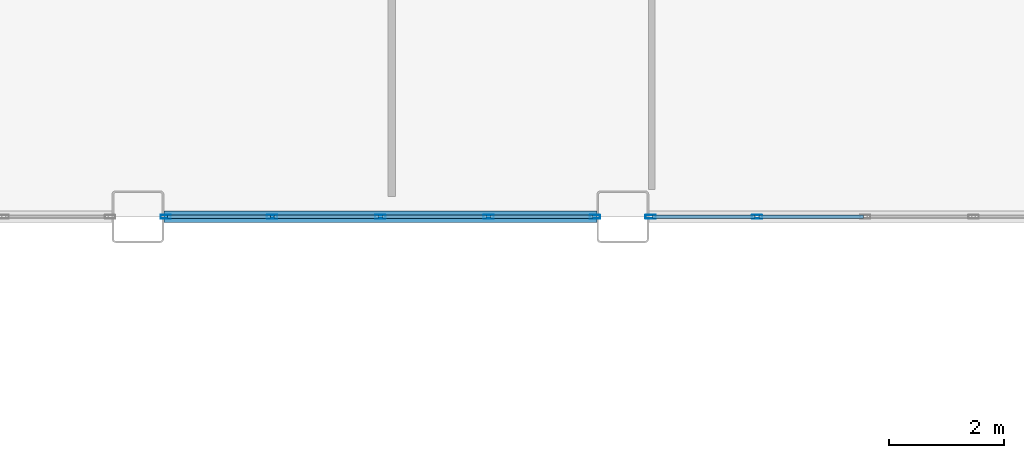
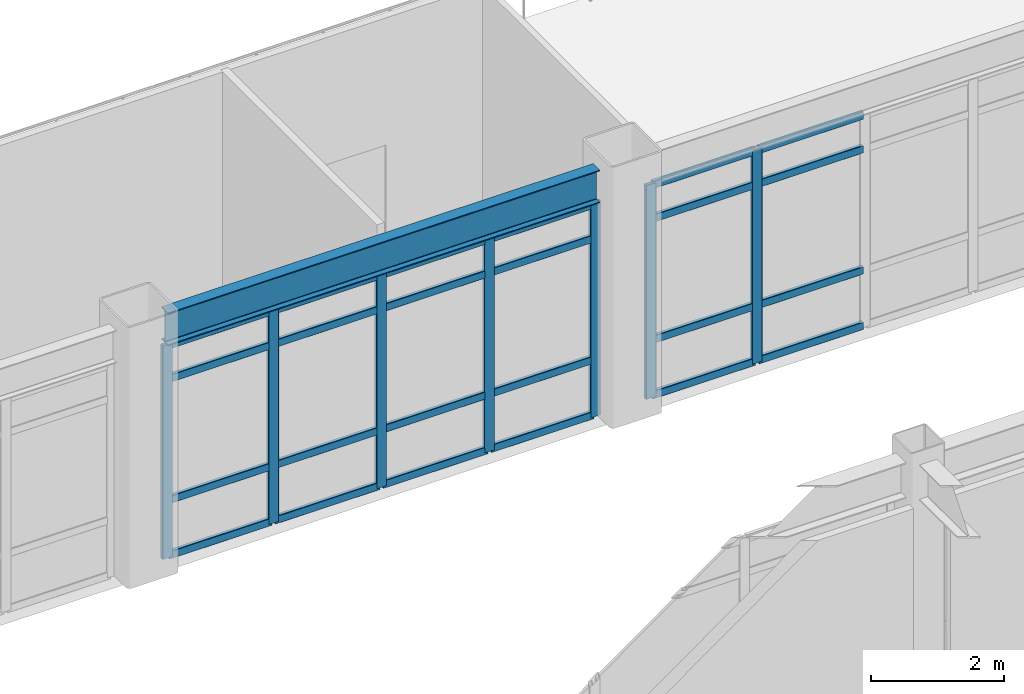
# One storey, part 36 of 172: 31 members, 1 beam, 2 elements without a shape of their own.
"""IFC4 building model written with IfcOpenShell, lengths in metres."""

from ifc_helpers import new_model, si_unit, direction, frame, origin, origin_2d, place, context, subcontext, project, spatial, hollow_rectangle, i_section, extrude, material, layer, layer_set, material_profile, profile_set, type_object, element, aggregate, save


model = new_model("IFC4")

# Units and contexts
model_context = context("Model", 3, precision=1e-05, world=origin(), true_north=direction((0.0, 1.0)))
body_context = subcontext(model_context, "Body", "Model", "MODEL_VIEW")
ifc_project = project(units=[si_unit("LENGTHUNIT", "METRE"), si_unit("AREAUNIT", "SQUARE_METRE"), si_unit("VOLUMEUNIT", "CUBIC_METRE"), si_unit("PLANEANGLEUNIT", "RADIAN"), si_unit("MASSUNIT", "GRAM", prefix="KILO")], contexts=[model_context])

# Site, building, storey
site_placement = place(None, origin())
site = spatial("IfcSite", under=ifc_project, at=site_placement, CompositionType="ELEMENT")
building_placement = place(site_placement, origin())
building = spatial("IfcBuilding", under=site, at=building_placement, Name="Kazehara Bluff Congress Hotel", CompositionType="ELEMENT")
storey_placement = place(building_placement, frame((0.0, 0.0, 5.39990234375)))
storey = spatial("IfcBuildingStorey", under=building, at=storey_placement, Name="L01", CompositionType="ELEMENT", Elevation=5.39990234375)

# Curtain wall, members
ifc_material_1 = material(Name="Anodised aluminium", Category="aluminium")
ifc_layer = layer(ifc_material_1, 0.159912109375)
ifc_layer_set = layer_set([ifc_layer], Name="Anodised aluminium")
curtain_wall_type = type_object("IfcCurtainWallType", Name="TP-CW-13", PredefinedType="NOTDEFINED", material=ifc_layer_set)
curtain_wall_1_placement = place(storey_placement, origin())
curtain_wall_1 = element("IfcCurtainWall", 1, at=curtain_wall_1_placement, inside=storey, type_object=curtain_wall_type, Name="L01 curtain wall CW-13 CW-V1-L01-Y4845-3405", PredefinedType="NOTDEFINED")
ifc_material_2 = material(Name="Anodised aluminium", Category="aluminium")
ifc_material_profile_1 = material_profile(ifc_material_2, hollow_rectangle(XDim=0.06494140625, YDim=0.179931640625, WallThickness=0.00390625, InnerFilletRadius=0.00390625, OuterFilletRadius=0.008056640625, at=origin_2d()))
ifc_profile_set_1 = profile_set([ifc_material_profile_1], Name="Anodised aluminium")
member_type_1 = type_object("IfcMemberType", Name="TP-CWM-02", PredefinedType="MULLION", material=ifc_profile_set_1)
member_1_placement = place(storey_placement, frame((34.08251953125, 48.449951171875, 0.0), z_axis=(0.0, 0.0, 1.0), x_axis=(0.0, 1.0, 0.0)))
member_1 = element("IfcMember", 2, at=member_1_placement, type_object=member_type_1, Name="CW-13 mullion 1", PredefinedType="MULLION", context=body_context, shape_type="SweptSolid", body=[
    extrude(hollow_rectangle(XDim=0.06494140625, YDim=0.179931640625, WallThickness=0.00390625, InnerFilletRadius=0.00390625, OuterFilletRadius=0.008056640625, at=origin_2d()), origin(), (0.0, 0.0, 1.0), 3.925048828125),
])
member_2_placement = place(storey_placement, frame((35.925048828125, 48.449951171875, 0.0), z_axis=(0.0, 0.0, 1.0), x_axis=(0.0, 1.0, 0.0)))
member_2 = element("IfcMember", 3, at=member_2_placement, type_object=member_type_1, Name="CW-13 mullion 2", PredefinedType="MULLION", context=body_context, shape_type="SweptSolid", body=[
    extrude(hollow_rectangle(XDim=0.06494140625, YDim=0.179931640625, WallThickness=0.00390625, InnerFilletRadius=0.00390625, OuterFilletRadius=0.008056640625, at=origin_2d()), origin(), (0.0, 0.0, 1.0), 3.925048828125),
])
member_3_placement = place(storey_placement, frame((37.800048828125, 48.449951171875, 0.0), z_axis=(0.0, 0.0, 1.0), x_axis=(0.0, 1.0, 0.0)))
member_3 = element("IfcMember", 4, at=member_3_placement, type_object=member_type_1, Name="CW-13 mullion 3", PredefinedType="MULLION", context=body_context, shape_type="SweptSolid", body=[
    extrude(hollow_rectangle(XDim=0.06494140625, YDim=0.179931640625, WallThickness=0.00390625, InnerFilletRadius=0.00390625, OuterFilletRadius=0.008056640625, at=origin_2d()), origin(), (0.0, 0.0, 1.0), 3.925048828125),
])
member_4_placement = place(storey_placement, frame((39.675048828125, 48.449951171875, 0.0), z_axis=(0.0, 0.0, 1.0), x_axis=(0.0, 1.0, 0.0)))
member_4 = element("IfcMember", 5, at=member_4_placement, type_object=member_type_1, Name="CW-13 mullion 4", PredefinedType="MULLION", context=body_context, shape_type="SweptSolid", body=[
    extrude(hollow_rectangle(XDim=0.06494140625, YDim=0.179931640625, WallThickness=0.00390625, InnerFilletRadius=0.00390625, OuterFilletRadius=0.008056640625, at=origin_2d()), origin(), (0.0, 0.0, 1.0), 3.925048828125),
])
member_5_placement = place(storey_placement, frame((41.517578125, 48.449951171875, 0.0), z_axis=(0.0, 0.0, 1.0), x_axis=(0.0, 1.0, 0.0)))
member_5 = element("IfcMember", 6, at=member_5_placement, type_object=member_type_1, Name="CW-13 mullion 5", PredefinedType="MULLION", context=body_context, shape_type="SweptSolid", body=[
    extrude(hollow_rectangle(XDim=0.06494140625, YDim=0.179931640625, WallThickness=0.00390625, InnerFilletRadius=0.00390625, OuterFilletRadius=0.008056640625, at=origin_2d()), origin(), (0.0, 0.0, 1.0), 3.925048828125),
])

curtain_wall_2_placement = place(storey_placement, origin())
curtain_wall_2 = element("IfcCurtainWall", 7, at=curtain_wall_2_placement, inside=storey, type_object=curtain_wall_type, Name="L01 curtain wall CW-13 CW-V1-L01-Y4845-4245", PredefinedType="NOTDEFINED")
member_6_placement = place(storey_placement, frame((42.482421875, 48.449951171875, 0.0), z_axis=(0.0, 0.0, 1.0), x_axis=(0.0, 1.0, 0.0)))
member_6 = element("IfcMember", 8, at=member_6_placement, type_object=member_type_1, Name="CW-13 mullion 1", PredefinedType="MULLION", context=body_context, shape_type="SweptSolid", body=[
    extrude(hollow_rectangle(XDim=0.06494140625, YDim=0.179931640625, WallThickness=0.00390625, InnerFilletRadius=0.00390625, OuterFilletRadius=0.008056640625, at=origin_2d()), origin(), (0.0, 0.0, 1.0), 3.925048828125),
])
member_7_placement = place(storey_placement, frame((44.324951171875, 48.449951171875, 0.0), z_axis=(0.0, 0.0, 1.0), x_axis=(0.0, 1.0, 0.0)))
member_7 = element("IfcMember", 9, at=member_7_placement, type_object=member_type_1, Name="CW-13 mullion 2", PredefinedType="MULLION", context=body_context, shape_type="SweptSolid", body=[
    extrude(hollow_rectangle(XDim=0.06494140625, YDim=0.179931640625, WallThickness=0.00390625, InnerFilletRadius=0.00390625, OuterFilletRadius=0.008056640625, at=origin_2d()), origin(), (0.0, 0.0, 1.0), 3.925048828125),
])

# Member
ifc_material_3 = material(Name="Anodised aluminium", Category="aluminium")
ifc_material_profile_2 = material_profile(ifc_material_3, hollow_rectangle(XDim=0.06494140625, YDim=0.139892578125, WallThickness=0.00390625, InnerFilletRadius=0.00390625, OuterFilletRadius=0.008056640625, at=origin_2d()))
ifc_profile_set_2 = profile_set([ifc_material_profile_2], Name="Anodised aluminium")
member_type_2 = type_object("IfcMemberType", Name="TP-CWT-02", PredefinedType="USERDEFINED", material=ifc_profile_set_2)
member_8_placement = place(storey_placement, frame((34.114990234375, 48.449951171875, 0.03271484375), z_axis=(1.0, 0.0, 0.0), x_axis=(0.0, 1.0, 0.0)))
member_8 = element("IfcMember", 10, at=member_8_placement, type_object=member_type_2, Name="CW-13 transom 1.1", ObjectType="TRANSOM", PredefinedType="USERDEFINED", context=body_context, shape_type="SweptSolid", body=[
    extrude(hollow_rectangle(XDim=0.06494140625, YDim=0.139892578125, WallThickness=0.00390625, InnerFilletRadius=0.00390625, OuterFilletRadius=0.008056640625, at=origin_2d()), origin(), (0.0, 0.0, 1.0), 1.777587890625),
])

member_9_placement = place(storey_placement, frame((34.114990234375, 48.449951171875, 1.050048828125), z_axis=(1.0, 0.0, 0.0), x_axis=(0.0, 1.0, 0.0)))
member_9 = element("IfcMember", 11, at=member_9_placement, type_object=member_type_2, Name="CW-13 transom 1.2", ObjectType="TRANSOM", PredefinedType="USERDEFINED", context=body_context, shape_type="SweptSolid", body=[
    extrude(hollow_rectangle(XDim=0.06494140625, YDim=0.139892578125, WallThickness=0.00390625, InnerFilletRadius=0.00390625, OuterFilletRadius=0.008056640625, at=origin_2d()), origin(), (0.0, 0.0, 1.0), 1.777587890625),
])

member_10_placement = place(storey_placement, frame((34.114990234375, 48.449951171875, 3.275146484375), z_axis=(1.0, 0.0, 0.0), x_axis=(0.0, 1.0, 0.0)))
member_10 = element("IfcMember", 12, at=member_10_placement, type_object=member_type_2, Name="CW-13 transom 1.3", ObjectType="TRANSOM", PredefinedType="USERDEFINED", context=body_context, shape_type="SweptSolid", body=[
    extrude(hollow_rectangle(XDim=0.06494140625, YDim=0.139892578125, WallThickness=0.00390625, InnerFilletRadius=0.00390625, OuterFilletRadius=0.008056640625, at=origin_2d()), origin(), (0.0, 0.0, 1.0), 1.777587890625),
])

member_11_placement = place(storey_placement, frame((34.114990234375, 48.449951171875, 3.892578125), z_axis=(1.0, 0.0, 0.0), x_axis=(0.0, 1.0, 0.0)))
member_11 = element("IfcMember", 13, at=member_11_placement, type_object=member_type_2, Name="CW-13 transom 1.4", ObjectType="TRANSOM", PredefinedType="USERDEFINED", context=body_context, shape_type="SweptSolid", body=[
    extrude(hollow_rectangle(XDim=0.06494140625, YDim=0.139892578125, WallThickness=0.00390625, InnerFilletRadius=0.00390625, OuterFilletRadius=0.008056640625, at=origin_2d()), origin(), (0.0, 0.0, 1.0), 1.777587890625),
])

member_12_placement = place(storey_placement, frame((35.95751953125, 48.449951171875, 0.03271484375), z_axis=(1.0, 0.0, 0.0), x_axis=(0.0, 1.0, 0.0)))
member_12 = element("IfcMember", 14, at=member_12_placement, type_object=member_type_2, Name="CW-13 transom 2.1", ObjectType="TRANSOM", PredefinedType="USERDEFINED", context=body_context, shape_type="SweptSolid", body=[
    extrude(hollow_rectangle(XDim=0.06494140625, YDim=0.139892578125, WallThickness=0.00390625, InnerFilletRadius=0.00390625, OuterFilletRadius=0.008056640625, at=origin_2d()), origin(), (0.0, 0.0, 1.0), 1.81005859375),
])

member_13_placement = place(storey_placement, frame((35.95751953125, 48.449951171875, 1.050048828125), z_axis=(1.0, 0.0, 0.0), x_axis=(0.0, 1.0, 0.0)))
member_13 = element("IfcMember", 15, at=member_13_placement, type_object=member_type_2, Name="CW-13 transom 2.2", ObjectType="TRANSOM", PredefinedType="USERDEFINED", context=body_context, shape_type="SweptSolid", body=[
    extrude(hollow_rectangle(XDim=0.06494140625, YDim=0.139892578125, WallThickness=0.00390625, InnerFilletRadius=0.00390625, OuterFilletRadius=0.008056640625, at=origin_2d()), origin(), (0.0, 0.0, 1.0), 1.81005859375),
])

member_14_placement = place(storey_placement, frame((35.95751953125, 48.449951171875, 3.275146484375), z_axis=(1.0, 0.0, 0.0), x_axis=(0.0, 1.0, 0.0)))
member_14 = element("IfcMember", 16, at=member_14_placement, type_object=member_type_2, Name="CW-13 transom 2.3", ObjectType="TRANSOM", PredefinedType="USERDEFINED", context=body_context, shape_type="SweptSolid", body=[
    extrude(hollow_rectangle(XDim=0.06494140625, YDim=0.139892578125, WallThickness=0.00390625, InnerFilletRadius=0.00390625, OuterFilletRadius=0.008056640625, at=origin_2d()), origin(), (0.0, 0.0, 1.0), 1.81005859375),
])

member_15_placement = place(storey_placement, frame((35.95751953125, 48.449951171875, 3.892578125), z_axis=(1.0, 0.0, 0.0), x_axis=(0.0, 1.0, 0.0)))
member_15 = element("IfcMember", 17, at=member_15_placement, type_object=member_type_2, Name="CW-13 transom 2.4", ObjectType="TRANSOM", PredefinedType="USERDEFINED", context=body_context, shape_type="SweptSolid", body=[
    extrude(hollow_rectangle(XDim=0.06494140625, YDim=0.139892578125, WallThickness=0.00390625, InnerFilletRadius=0.00390625, OuterFilletRadius=0.008056640625, at=origin_2d()), origin(), (0.0, 0.0, 1.0), 1.81005859375),
])

member_16_placement = place(storey_placement, frame((37.83251953125, 48.449951171875, 0.03271484375), z_axis=(1.0, 0.0, 0.0), x_axis=(0.0, 1.0, 0.0)))
member_16 = element("IfcMember", 18, at=member_16_placement, type_object=member_type_2, Name="CW-13 transom 3.1", ObjectType="TRANSOM", PredefinedType="USERDEFINED", context=body_context, shape_type="SweptSolid", body=[
    extrude(hollow_rectangle(XDim=0.06494140625, YDim=0.139892578125, WallThickness=0.00390625, InnerFilletRadius=0.00390625, OuterFilletRadius=0.008056640625, at=origin_2d()), origin(), (0.0, 0.0, 1.0), 1.81005859375),
])

member_17_placement = place(storey_placement, frame((37.83251953125, 48.449951171875, 1.050048828125), z_axis=(1.0, 0.0, 0.0), x_axis=(0.0, 1.0, 0.0)))
member_17 = element("IfcMember", 19, at=member_17_placement, type_object=member_type_2, Name="CW-13 transom 3.2", ObjectType="TRANSOM", PredefinedType="USERDEFINED", context=body_context, shape_type="SweptSolid", body=[
    extrude(hollow_rectangle(XDim=0.06494140625, YDim=0.139892578125, WallThickness=0.00390625, InnerFilletRadius=0.00390625, OuterFilletRadius=0.008056640625, at=origin_2d()), origin(), (0.0, 0.0, 1.0), 1.81005859375),
])

member_18_placement = place(storey_placement, frame((37.83251953125, 48.449951171875, 3.275146484375), z_axis=(1.0, 0.0, 0.0), x_axis=(0.0, 1.0, 0.0)))
member_18 = element("IfcMember", 20, at=member_18_placement, type_object=member_type_2, Name="CW-13 transom 3.3", ObjectType="TRANSOM", PredefinedType="USERDEFINED", context=body_context, shape_type="SweptSolid", body=[
    extrude(hollow_rectangle(XDim=0.06494140625, YDim=0.139892578125, WallThickness=0.00390625, InnerFilletRadius=0.00390625, OuterFilletRadius=0.008056640625, at=origin_2d()), origin(), (0.0, 0.0, 1.0), 1.81005859375),
])

member_19_placement = place(storey_placement, frame((37.83251953125, 48.449951171875, 3.892578125), z_axis=(1.0, 0.0, 0.0), x_axis=(0.0, 1.0, 0.0)))
member_19 = element("IfcMember", 21, at=member_19_placement, type_object=member_type_2, Name="CW-13 transom 3.4", ObjectType="TRANSOM", PredefinedType="USERDEFINED", context=body_context, shape_type="SweptSolid", body=[
    extrude(hollow_rectangle(XDim=0.06494140625, YDim=0.139892578125, WallThickness=0.00390625, InnerFilletRadius=0.00390625, OuterFilletRadius=0.008056640625, at=origin_2d()), origin(), (0.0, 0.0, 1.0), 1.81005859375),
])

member_20_placement = place(storey_placement, frame((39.70751953125, 48.449951171875, 0.03271484375), z_axis=(1.0, 0.0, 0.0), x_axis=(0.0, 1.0, 0.0)))
member_20 = element("IfcMember", 22, at=member_20_placement, type_object=member_type_2, Name="CW-13 transom 4.1", ObjectType="TRANSOM", PredefinedType="USERDEFINED", context=body_context, shape_type="SweptSolid", body=[
    extrude(hollow_rectangle(XDim=0.06494140625, YDim=0.139892578125, WallThickness=0.00390625, InnerFilletRadius=0.00390625, OuterFilletRadius=0.008056640625, at=origin_2d()), origin(), (0.0, 0.0, 1.0), 1.777587890625),
])

member_21_placement = place(storey_placement, frame((39.70751953125, 48.449951171875, 1.050048828125), z_axis=(1.0, 0.0, 0.0), x_axis=(0.0, 1.0, 0.0)))
member_21 = element("IfcMember", 23, at=member_21_placement, type_object=member_type_2, Name="CW-13 transom 4.2", ObjectType="TRANSOM", PredefinedType="USERDEFINED", context=body_context, shape_type="SweptSolid", body=[
    extrude(hollow_rectangle(XDim=0.06494140625, YDim=0.139892578125, WallThickness=0.00390625, InnerFilletRadius=0.00390625, OuterFilletRadius=0.008056640625, at=origin_2d()), origin(), (0.0, 0.0, 1.0), 1.777587890625),
])

member_22_placement = place(storey_placement, frame((39.70751953125, 48.449951171875, 3.275146484375), z_axis=(1.0, 0.0, 0.0), x_axis=(0.0, 1.0, 0.0)))
member_22 = element("IfcMember", 24, at=member_22_placement, type_object=member_type_2, Name="CW-13 transom 4.3", ObjectType="TRANSOM", PredefinedType="USERDEFINED", context=body_context, shape_type="SweptSolid", body=[
    extrude(hollow_rectangle(XDim=0.06494140625, YDim=0.139892578125, WallThickness=0.00390625, InnerFilletRadius=0.00390625, OuterFilletRadius=0.008056640625, at=origin_2d()), origin(), (0.0, 0.0, 1.0), 1.777587890625),
])

member_23_placement = place(storey_placement, frame((39.70751953125, 48.449951171875, 3.892578125), z_axis=(1.0, 0.0, 0.0), x_axis=(0.0, 1.0, 0.0)))
member_23 = element("IfcMember", 25, at=member_23_placement, type_object=member_type_2, Name="CW-13 transom 4.4", ObjectType="TRANSOM", PredefinedType="USERDEFINED", context=body_context, shape_type="SweptSolid", body=[
    extrude(hollow_rectangle(XDim=0.06494140625, YDim=0.139892578125, WallThickness=0.00390625, InnerFilletRadius=0.00390625, OuterFilletRadius=0.008056640625, at=origin_2d()), origin(), (0.0, 0.0, 1.0), 1.777587890625),
])

aggregate(curtain_wall_1, [member_1, member_2, member_3, member_4, member_5, member_8, member_9, member_10, member_11, member_12, member_13, member_14, member_15, member_16, member_17, member_18, member_19, member_20, member_21, member_22, member_23])

member_24_placement = place(storey_placement, frame((42.514892578125, 48.449951171875, 0.03271484375), z_axis=(1.0, 0.0, 0.0), x_axis=(0.0, 1.0, 0.0)))
member_24 = element("IfcMember", 26, at=member_24_placement, type_object=member_type_2, Name="CW-13 transom 1.1", ObjectType="TRANSOM", PredefinedType="USERDEFINED", context=body_context, shape_type="SweptSolid", body=[
    extrude(hollow_rectangle(XDim=0.06494140625, YDim=0.139892578125, WallThickness=0.00390625, InnerFilletRadius=0.00390625, OuterFilletRadius=0.008056640625, at=origin_2d()), origin(), (0.0, 0.0, 1.0), 1.777587890625),
])

member_25_placement = place(storey_placement, frame((42.514892578125, 48.449951171875, 1.050048828125), z_axis=(1.0, 0.0, 0.0), x_axis=(0.0, 1.0, 0.0)))
member_25 = element("IfcMember", 27, at=member_25_placement, type_object=member_type_2, Name="CW-13 transom 1.2", ObjectType="TRANSOM", PredefinedType="USERDEFINED", context=body_context, shape_type="SweptSolid", body=[
    extrude(hollow_rectangle(XDim=0.06494140625, YDim=0.139892578125, WallThickness=0.00390625, InnerFilletRadius=0.00390625, OuterFilletRadius=0.008056640625, at=origin_2d()), origin(), (0.0, 0.0, 1.0), 1.777587890625),
])

member_26_placement = place(storey_placement, frame((42.514892578125, 48.449951171875, 3.275146484375), z_axis=(1.0, 0.0, 0.0), x_axis=(0.0, 1.0, 0.0)))
member_26 = element("IfcMember", 28, at=member_26_placement, type_object=member_type_2, Name="CW-13 transom 1.3", ObjectType="TRANSOM", PredefinedType="USERDEFINED", context=body_context, shape_type="SweptSolid", body=[
    extrude(hollow_rectangle(XDim=0.06494140625, YDim=0.139892578125, WallThickness=0.00390625, InnerFilletRadius=0.00390625, OuterFilletRadius=0.008056640625, at=origin_2d()), origin(), (0.0, 0.0, 1.0), 1.777587890625),
])

member_27_placement = place(storey_placement, frame((42.514892578125, 48.449951171875, 3.892578125), z_axis=(1.0, 0.0, 0.0), x_axis=(0.0, 1.0, 0.0)))
member_27 = element("IfcMember", 29, at=member_27_placement, type_object=member_type_2, Name="CW-13 transom 1.4", ObjectType="TRANSOM", PredefinedType="USERDEFINED", context=body_context, shape_type="SweptSolid", body=[
    extrude(hollow_rectangle(XDim=0.06494140625, YDim=0.139892578125, WallThickness=0.00390625, InnerFilletRadius=0.00390625, OuterFilletRadius=0.008056640625, at=origin_2d()), origin(), (0.0, 0.0, 1.0), 1.777587890625),
])

member_28_placement = place(storey_placement, frame((44.357421875, 48.449951171875, 0.03271484375), z_axis=(1.0, 0.0, 0.0), x_axis=(0.0, 1.0, 0.0)))
member_28 = element("IfcMember", 30, at=member_28_placement, type_object=member_type_2, Name="CW-13 transom 2.1", ObjectType="TRANSOM", PredefinedType="USERDEFINED", context=body_context, shape_type="SweptSolid", body=[
    extrude(hollow_rectangle(XDim=0.06494140625, YDim=0.139892578125, WallThickness=0.00390625, InnerFilletRadius=0.00390625, OuterFilletRadius=0.008056640625, at=origin_2d()), origin(), (0.0, 0.0, 1.0), 1.81005859375),
])

member_29_placement = place(storey_placement, frame((44.357421875, 48.449951171875, 1.050048828125), z_axis=(1.0, 0.0, 0.0), x_axis=(0.0, 1.0, 0.0)))
member_29 = element("IfcMember", 31, at=member_29_placement, type_object=member_type_2, Name="CW-13 transom 2.2", ObjectType="TRANSOM", PredefinedType="USERDEFINED", context=body_context, shape_type="SweptSolid", body=[
    extrude(hollow_rectangle(XDim=0.06494140625, YDim=0.139892578125, WallThickness=0.00390625, InnerFilletRadius=0.00390625, OuterFilletRadius=0.008056640625, at=origin_2d()), origin(), (0.0, 0.0, 1.0), 1.81005859375),
])

member_30_placement = place(storey_placement, frame((44.357421875, 48.449951171875, 3.275146484375), z_axis=(1.0, 0.0, 0.0), x_axis=(0.0, 1.0, 0.0)))
member_30 = element("IfcMember", 32, at=member_30_placement, type_object=member_type_2, Name="CW-13 transom 2.3", ObjectType="TRANSOM", PredefinedType="USERDEFINED", context=body_context, shape_type="SweptSolid", body=[
    extrude(hollow_rectangle(XDim=0.06494140625, YDim=0.139892578125, WallThickness=0.00390625, InnerFilletRadius=0.00390625, OuterFilletRadius=0.008056640625, at=origin_2d()), origin(), (0.0, 0.0, 1.0), 1.81005859375),
])

member_31_placement = place(storey_placement, frame((44.357421875, 48.449951171875, 3.892578125), z_axis=(1.0, 0.0, 0.0), x_axis=(0.0, 1.0, 0.0)))
member_31 = element("IfcMember", 33, at=member_31_placement, type_object=member_type_2, Name="CW-13 transom 2.4", ObjectType="TRANSOM", PredefinedType="USERDEFINED", context=body_context, shape_type="SweptSolid", body=[
    extrude(hollow_rectangle(XDim=0.06494140625, YDim=0.139892578125, WallThickness=0.00390625, InnerFilletRadius=0.00390625, OuterFilletRadius=0.008056640625, at=origin_2d()), origin(), (0.0, 0.0, 1.0), 1.81005859375),
])

aggregate(curtain_wall_2, [member_6, member_7, member_24, member_25, member_26, member_27, member_28, member_29, member_30, member_31])

# Beam
ifc_material_4 = material(Name="Steel SN490B", Category="steel")
ifc_material_profile_3 = material_profile(ifc_material_4, i_section(OverallWidth=0.199951171875, OverallDepth=0.60009765625, WebThickness=0.010986328125, FlangeThickness=0.01708984375, FilletRadius=0.012939453125, at=origin_2d()))
ifc_profile_set_3 = profile_set([ifc_material_profile_3], Name="Steel SN490B")
beam_type = type_object("IfcBeamType", Name="TP-SP-02", PredefinedType="SPANDREL", material=ifc_profile_set_3)
beam_placement = place(storey_placement, frame((34.050048828125, 48.449951171875, 4.25), z_axis=(1.0, 0.0, 0.0), x_axis=(0.0, 1.0, 0.0)))
element("IfcBeam", 34, at=beam_placement, inside=storey, type_object=beam_type, Name="L01 girder SP-02 28", PredefinedType="SPANDREL", context=body_context, shape_type="SweptSolid", body=[
    extrude(i_section(OverallWidth=0.199951171875, OverallDepth=0.60009765625, WebThickness=0.010986328125, FlangeThickness=0.01708984375, FilletRadius=0.012939453125, at=origin_2d()), origin(), (0.0, 0.0, 1.0), 7.5),
])

save(model, "model.ifc")
